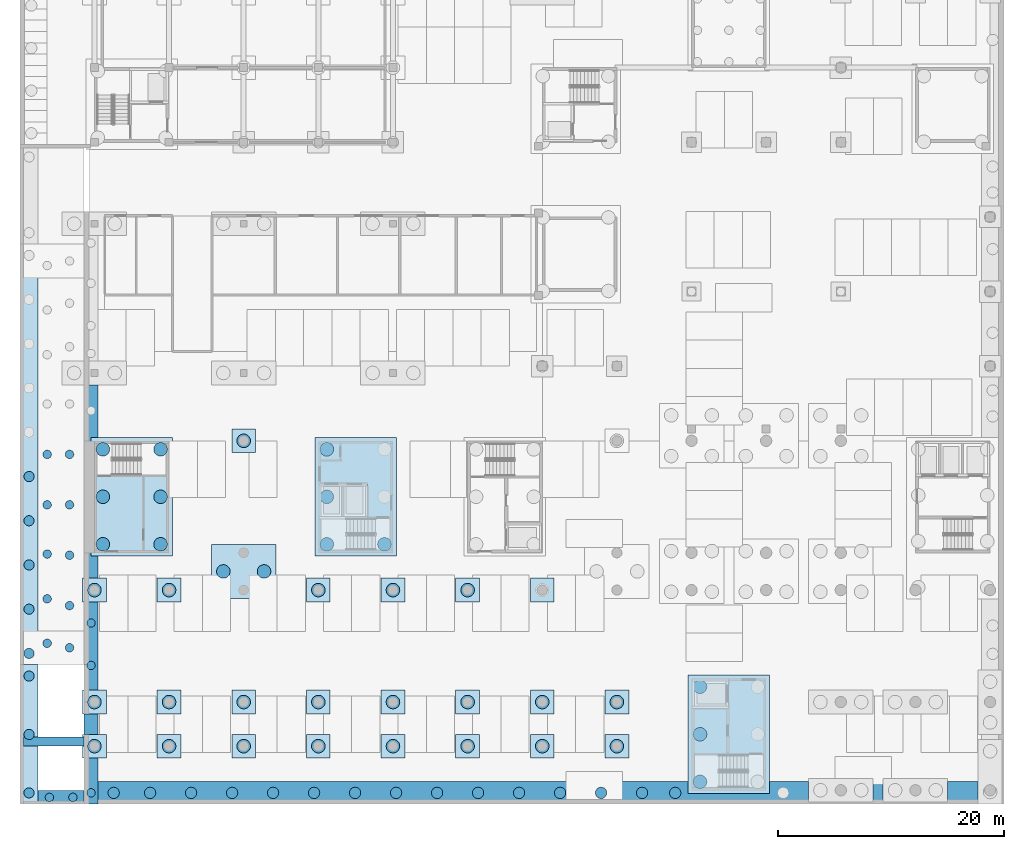
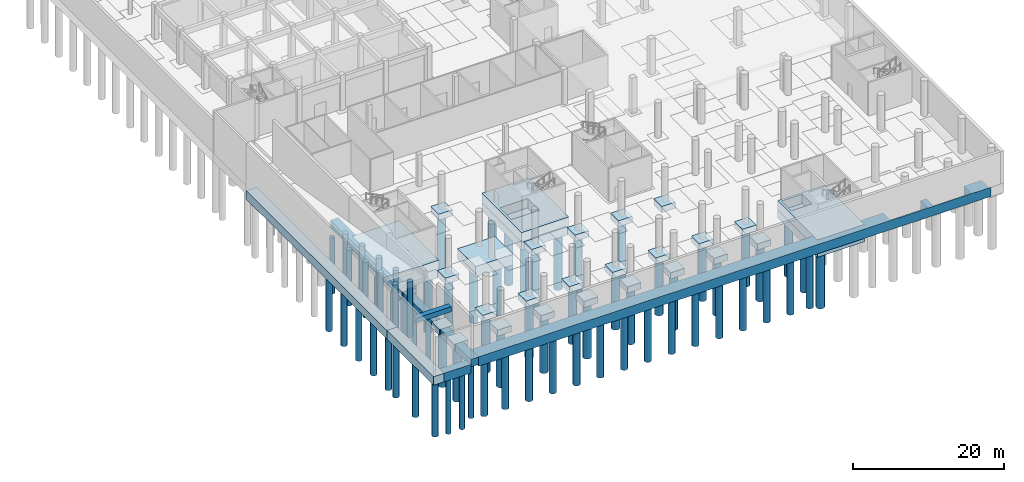
# One storey, part 1 of 38: 75 piles, 38 footings.
"""IFC4 building model written with IfcOpenShell, lengths in metres."""

from ifc_helpers import new_model, si_unit, direction, frame, origin, origin_2d, place, context, subcontext, project, spatial, polyline, circle, outline, extrude, material, material_profile, profile_set, type_object, element, save


model = new_model("IFC4")

# Units and contexts
model_context = context("Model", 3, precision=1e-05, world=origin(), true_north=direction((0.0, 1.0)))
body_context = subcontext(model_context, "Body", "Model", "MODEL_VIEW")
ifc_project = project(units=[si_unit("LENGTHUNIT", "METRE"), si_unit("AREAUNIT", "SQUARE_METRE"), si_unit("VOLUMEUNIT", "CUBIC_METRE"), si_unit("PLANEANGLEUNIT", "RADIAN"), si_unit("MASSUNIT", "GRAM", prefix="KILO")], contexts=[model_context])

# Site, building, storey
site_placement = place(None, origin())
site = spatial("IfcSite", under=ifc_project, at=site_placement, CompositionType="ELEMENT")
building_placement = place(site_placement, origin())
building = spatial("IfcBuilding", under=site, at=building_placement, Name="Lantern Court Research Institute", CompositionType="ELEMENT")
storey_placement = place(building_placement, frame((0.0, 0.0, -5.699951171875)))
storey = spatial("IfcBuildingStorey", under=building, at=storey_placement, Name="B1", CompositionType="ELEMENT", Elevation=-5.699951171875)

# Piles
ifc_material_1 = material(Name="Concrete C30/37", Category="concrete")
ifc_material_profile_1 = material_profile(ifc_material_1, circle(Radius=0.5, at=origin_2d()), Name="Bored pile D1000")
ifc_profile_set_1 = profile_set([ifc_material_profile_1], Name="Concrete C30/37")
pile_type_1 = type_object("IfcPileType", Name="Bored pile D1000", PredefinedType="BORED", material=ifc_profile_set_1)
for number, where, z_axis, x_axis, name in (
    (1, (1.699951171875, -8.030029296875, -1.400146484375), (0.0, 0.0, -1.0), (1.0, 0.0, 0.0), "Bored pile P270"),
    (2, (4.925048828125, -8.030029296875, -1.400146484375), (0.0, 0.0, -1.0), (1.0, 0.0, 0.0), "Bored pile P271"),
    (3, (8.550048828125, -8.030029296875, -1.400146484375), (0.0, 0.0, -1.0), (1.0, 0.0, 0.0), "Bored pile P272"),
    (4, (12.176025390625, -8.030029296875, -1.400146484375), (0.0, 0.0, -1.0), (1.0, 0.0, 0.0), "Bored pile P273"),
    (5, (15.801025390625, -8.030029296875, -1.400146484375), (0.0, 0.0, -1.0), (1.0, 0.0, 0.0), "Bored pile P274"),
    (6, (19.426025390625, -8.030029296875, -1.400146484375), (0.0, 0.0, -1.0), (1.0, 0.0, 0.0), "Bored pile P275"),
    (7, (23.051025390625, -8.030029296875, -1.400146484375), (0.0, 0.0, -1.0), (1.0, 0.0, 0.0), "Bored pile P276"),
    (8, (26.677001953125, -8.030029296875, -1.400146484375), (0.0, 0.0, -1.0), (1.0, 0.0, 0.0), "Bored pile P277"),
    (9, (30.302001953125, -8.030029296875, -1.400146484375), (0.0, 0.0, -1.0), (1.0, 0.0, 0.0), "Bored pile P278"),
    (10, (33.927001953125, -8.030029296875, -1.400146484375), (0.0, 0.0, -1.0), (1.0, 0.0, 0.0), "Bored pile P279"),
    (11, (37.552001953125, -8.030029296875, -1.400146484375), (0.0, 0.0, -1.0), (1.0, 0.0, 0.0), "Bored pile P280"),
    (12, (41.177978515625, -8.030029296875, -1.400146484375), (0.0, 0.0, -1.0), (1.0, 0.0, 0.0), "Bored pile P281"),
    (13, (44.802978515625, -8.030029296875, -1.400146484375), (0.0, 0.0, -1.0), (1.0, 0.0, 0.0), "Bored pile P282"),
    (14, (48.427978515625, -8.030029296875, -1.400146484375), (0.0, 0.0, -1.0), (1.0, 0.0, 0.0), "Bored pile P283"),
    (15, (51.35302734375, -8.030029296875, -1.400146484375), (0.0, 0.0, -1.0), (1.0, 0.0, 0.0), "Bored pile P284"),
):
    element("IfcPile", number, at=place(storey_placement, frame(where, z_axis=z_axis, x_axis=x_axis)), inside=storey, type_object=pile_type_1, Name=name, PredefinedType="BORED", context=body_context, shape_type="SweptSolid", body=[
        extrude(circle(Radius=0.5, at=origin_2d()), origin(), (0.0, 0.0, 1.0), 9.0),
    ])
ifc_material_2 = material(Name="Concrete C30/37", Category="concrete")
ifc_material_profile_2 = material_profile(ifc_material_2, circle(Radius=0.60009765625, at=origin_2d()), Name="Bored pile D1200")
ifc_profile_set_2 = profile_set([ifc_material_profile_2], Name="Concrete C30/37")
pile_type_2 = type_object("IfcPileType", Name="Bored pile D1200", PredefinedType="BORED", material=ifc_profile_set_2)
for number, where, z_axis, x_axis, name in (
    (16, (53.550048828125, -7.050048828125, -2.699951171875), (0.0, 0.0, -1.0), (1.0, 0.0, 0.0), "Bored pile P7"),
    (17, (53.550048828125, -2.85009765625, -2.699951171875), (0.0, 0.0, -1.0), (1.0, 0.0, 0.0), "Bored pile P9"),
    (18, (53.550048828125, 1.35009765625, -2.699951171875), (0.0, 0.0, -1.0), (1.0, 0.0, 0.0), "Bored pile P11"),
    (19, (0.0, -3.89990234375, -0.900146484375), (0.0, 0.0, -1.0), (1.0, 0.0, 0.0), "Bored pile P13"),
    (20, (6.60009765625, -3.89990234375, -0.900146484375), (0.0, 0.0, -1.0), (1.0, 0.0, 0.0), "Bored pile P14"),
    (21, (13.199951171875, -3.89990234375, -0.900146484375), (0.0, 0.0, -1.0), (1.0, 0.0, 0.0), "Bored pile P15"),
    (22, (19.800048828125, -3.89990234375, -0.900146484375), (0.0, 0.0, -1.0), (1.0, 0.0, 0.0), "Bored pile P16"),
    (23, (26.39990234375, -3.89990234375, -0.900146484375), (0.0, 0.0, -1.0), (1.0, 0.0, 0.0), "Bored pile P17"),
    (24, (33.0, -3.89990234375, -0.900146484375), (0.0, 0.0, -1.0), (1.0, 0.0, 0.0), "Bored pile P18"),
    (25, (39.60009765625, -3.89990234375, -0.900146484375), (0.0, 0.0, -1.0), (1.0, 0.0, 0.0), "Bored pile P19"),
    (26, (46.199951171875, -3.89990234375, -0.900146484375), (0.0, 0.0, -1.0), (1.0, 0.0, 0.0), "Bored pile P20"),
    (27, (0.0, 0.0, -0.900146484375), (0.0, 0.0, -1.0), (1.0, 0.0, 0.0), "Bored pile P23"),
    (28, (6.60009765625, 0.0, -0.900146484375), (0.0, 0.0, -1.0), (1.0, 0.0, 0.0), "Bored pile P24"),
    (29, (13.199951171875, 0.0, -0.900146484375), (0.0, 0.0, -1.0), (1.0, 0.0, 0.0), "Bored pile P25"),
    (30, (19.800048828125, 0.0, -0.900146484375), (0.0, 0.0, -1.0), (1.0, 0.0, 0.0), "Bored pile P26"),
    (31, (26.39990234375, 0.0, -0.900146484375), (0.0, 0.0, -1.0), (1.0, 0.0, 0.0), "Bored pile P27"),
    (32, (33.0, 0.0, -0.900146484375), (0.0, 0.0, -1.0), (1.0, 0.0, 0.0), "Bored pile P28"),
    (33, (39.60009765625, 0.0, -0.900146484375), (0.0, 0.0, -1.0), (1.0, 0.0, 0.0), "Bored pile P29"),
    (34, (46.199951171875, 0.0, -0.900146484375), (0.0, 0.0, -1.0), (1.0, 0.0, 0.0), "Bored pile P30"),
    (35, (0.0, 9.89990234375, -0.900146484375), (0.0, 0.0, -1.0), (1.0, 0.0, 0.0), "Bored pile P47"),
    (36, (6.60009765625, 9.89990234375, -0.900146484375), (0.0, 0.0, -1.0), (1.0, 0.0, 0.0), "Bored pile P48"),
    (37, (19.800048828125, 9.89990234375, -0.900146484375), (0.0, 0.0, -1.0), (1.0, 0.0, 0.0), "Bored pile P49"),
    (38, (26.39990234375, 9.89990234375, -0.900146484375), (0.0, 0.0, -1.0), (1.0, 0.0, 0.0), "Bored pile P50"),
    (39, (33.0, 9.89990234375, -0.900146484375), (0.0, 0.0, -1.0), (1.0, 0.0, 0.0), "Bored pile P51"),
    (40, (11.39990234375, 11.550048828125, -1.60009765625), (0.0, 0.0, -1.0), (1.0, 0.0, 0.0), "Bored pile P61"),
    (41, (15.0, 11.550048828125, -1.60009765625), (0.0, 0.0, -1.0), (1.0, 0.0, 0.0), "Bored pile P62"),
    (42, (0.75, 13.949951171875, -2.699951171875), (0.0, 0.0, -1.0), (1.0, 0.0, 0.0), "Bored pile P65"),
    (43, (5.85009765625, 13.949951171875, -2.699951171875), (0.0, 0.0, -1.0), (1.0, 0.0, 0.0), "Bored pile P66"),
    (44, (0.75, 18.14990234375, -2.699951171875), (0.0, 0.0, -1.0), (1.0, 0.0, 0.0), "Bored pile P67"),
    (45, (5.85009765625, 18.14990234375, -2.699951171875), (0.0, 0.0, -1.0), (1.0, 0.0, 0.0), "Bored pile P68"),
    (46, (0.75, 22.35009765625, -2.699951171875), (0.0, 0.0, -1.0), (1.0, 0.0, 0.0), "Bored pile P69"),
    (47, (5.85009765625, 22.35009765625, -2.699951171875), (0.0, 0.0, -1.0), (1.0, 0.0, 0.0), "Bored pile P70"),
    (48, (20.550048828125, 13.949951171875, -2.699951171875), (0.0, 0.0, -1.0), (1.0, 0.0, 0.0), "Bored pile P71"),
    (49, (25.64990234375, 13.949951171875, -2.699951171875), (0.0, 0.0, -1.0), (1.0, 0.0, 0.0), "Bored pile P72"),
    (50, (20.550048828125, 18.14990234375, -2.699951171875), (0.0, 0.0, -1.0), (1.0, 0.0, 0.0), "Bored pile P73"),
    (51, (20.550048828125, 22.35009765625, -2.699951171875), (0.0, 0.0, -1.0), (1.0, 0.0, 0.0), "Bored pile P75"),
    (52, (13.199951171875, 23.10009765625, -0.900146484375), (0.0, 0.0, -1.0), (1.0, 0.0, 0.0), "Bored pile P95"),
):
    element("IfcPile", number, at=place(storey_placement, frame(where, z_axis=z_axis, x_axis=x_axis)), inside=storey, type_object=pile_type_2, Name=name, PredefinedType="BORED", context=body_context, shape_type="SweptSolid", body=[
        extrude(circle(Radius=0.60009765625, at=origin_2d()), origin(), (0.0, 0.0, 1.0), 9.0),
    ])
ifc_material_3 = material(Name="Concrete C30/37", Category="concrete")
ifc_material_profile_3 = material_profile(ifc_material_3, circle(Radius=0.375, at=origin_2d()), Name="Bored pile D750")
ifc_profile_set_3 = profile_set([ifc_material_profile_3], Name="Concrete C30/37")
pile_type_3 = type_object("IfcPileType", Name="Bored pile D750", PredefinedType="BORED", material=ifc_profile_set_3)
for number, where, z_axis, x_axis, name in (
    (53, (-0.300048828125, -8.030029296875, -1.10009765625), (0.0, 0.0, -1.0), (1.0, 0.0, 0.0), "Bored pile P236"),
    (54, (-0.300048828125, 3.236083984375, -1.10009765625), (0.0, 0.0, -1.0), (1.0, 0.0, 0.0), "Bored pile P242"),
    (55, (-0.300048828125, 6.990966796875, -1.10009765625), (0.0, 0.0, -1.0), (1.0, 0.0, 0.0), "Bored pile P243"),
    (56, (-3.97998046875, -8.429931640625, -2.10009765625), (0.0, 0.0, -1.0), (1.0, 0.0, 0.0), "Bored pile P313"),
    (57, (-1.89990234375, -8.429931640625, -2.10009765625), (0.0, 0.0, -1.0), (1.0, 0.0, 0.0), "Bored pile P314"),
    (58, (-4.179931640625, 5.199951171875, 4.7919921875), (0.0, 0.0, -1.0), (1.0, 0.0, 0.0), "Bored pile P-RB111"),
    (59, (-2.199951171875, 4.800048828125, 4.824951171875), (0.0, 0.0, -1.0), (1.0, 0.0, 0.0), "Bored pile P-RB112"),
    (60, (-4.179931640625, 9.12890625, 4.328857421875), (0.0, 0.0, -1.0), (1.0, 0.0, 0.0), "Bored pile P-RB211"),
    (61, (-2.199951171875, 8.529052734375, 4.428955078125), (0.0, 0.0, -1.0), (1.0, 0.0, 0.0), "Bored pile P-RB212"),
    (62, (-4.179931640625, 13.0859375, 3.6689453125), (0.0, 0.0, -1.0), (1.0, 0.0, 0.0), "Bored pile P-RB221"),
    (63, (-2.199951171875, 12.986083984375, 3.68603515625), (0.0, 0.0, -1.0), (1.0, 0.0, 0.0), "Bored pile P-RB222"),
    (64, (-4.179931640625, 17.443115234375, 2.94287109375), (0.0, 0.0, -1.0), (1.0, 0.0, 0.0), "Bored pile P-RB231"),
    (65, (-2.199951171875, 17.443115234375, 2.94287109375), (0.0, 0.0, -1.0), (1.0, 0.0, 0.0), "Bored pile P-RB232"),
    (66, (-4.179931640625, 21.89990234375, 2.199951171875), (0.0, 0.0, -1.0), (1.0, 0.0, 0.0), "Bored pile P-RB241"),
    (67, (-2.199951171875, 21.89990234375, 2.199951171875), (0.0, 0.0, -1.0), (1.0, 0.0, 0.0), "Bored pile P-RB242"),
):
    element("IfcPile", number, at=place(storey_placement, frame(where, z_axis=z_axis, x_axis=x_axis)), inside=storey, type_object=pile_type_3, Name=name, PredefinedType="BORED", context=body_context, shape_type="SweptSolid", body=[
        extrude(circle(Radius=0.375, at=origin_2d()), origin(), (0.0, 0.0, 1.0), 9.0),
    ])
ifc_material_4 = material(Name="Concrete C30/37", Category="concrete")
ifc_material_profile_4 = material_profile(ifc_material_4, circle(Radius=0.449951171875, at=origin_2d()), Name="Bored pile D900")
ifc_profile_set_4 = profile_set([ifc_material_profile_4], Name="Concrete C30/37")
pile_type_4 = type_object("IfcPileType", Name="Bored pile D900", PredefinedType="BORED", material=ifc_profile_set_4)
for number, where, z_axis, x_axis, name in (
    (68, (-5.780029296875, 4.300048828125, -2.10009765625), (0.0, 0.0, -1.0), (1.0, 0.0, 0.0), "Bored pile P298"),
    (69, (-5.780029296875, 8.2109375, -2.10009765625), (0.0, 0.0, -1.0), (1.0, 0.0, 0.0), "Bored pile P299"),
    (70, (-5.780029296875, 12.1220703125, -2.10009765625), (0.0, 0.0, -1.0), (1.0, 0.0, 0.0), "Bored pile P300"),
    (71, (-5.780029296875, 16.032958984375, -2.10009765625), (0.0, 0.0, -1.0), (1.0, 0.0, 0.0), "Bored pile P301"),
    (72, (-5.780029296875, 19.944091796875, -2.10009765625), (0.0, 0.0, -1.0), (1.0, 0.0, 0.0), "Bored pile P302"),
    (73, (-5.780029296875, -8.030029296875, -2.10009765625), (0.0, 0.0, -1.0), (1.0, 0.0, 0.0), "Bored pile P310"),
    (74, (-5.780029296875, -2.864990234375, -2.10009765625), (0.0, 0.0, -1.0), (1.0, 0.0, 0.0), "Bored pile P311"),
    (75, (-5.780029296875, 2.300048828125, -2.10009765625), (0.0, 0.0, -1.0), (1.0, 0.0, 0.0), "Bored pile P312"),
):
    element("IfcPile", number, at=place(storey_placement, frame(where, z_axis=z_axis, x_axis=x_axis)), inside=storey, type_object=pile_type_4, Name=name, PredefinedType="BORED", context=body_context, shape_type="SweptSolid", body=[
        extrude(circle(Radius=0.449951171875, at=origin_2d()), origin(), (0.0, 0.0, 1.0), 9.0),
    ])

# Footings
ifc_material_5 = material(Name="Concrete C30/37", Category="concrete")
footing_type_1 = type_object("IfcFootingType", Name="Pile cap 2100 x 2100 x 1000", PredefinedType="PILE_CAP", material=ifc_material_5)
footing_1_placement = place(storey_placement, frame((0.0, 0.0, -1.0)))
element("IfcFooting", 76, at=footing_1_placement, inside=storey, type_object=footing_type_1, Name="Pile cap PC5", PredefinedType="PILE_CAP", context=body_context, shape_type="SweptSolid", body=[
    extrude(outline(polyline([(-1.050048828125, -4.949951171875), (1.050048828125, -4.949951171875), (1.050048828125, -2.85009765625), (-1.050048828125, -2.85009765625), (-1.050048828125, -4.949951171875)])), origin(), (0.0, 0.0, 1.0), 1.0),
])
footing_2_placement = place(storey_placement, frame((0.0, 0.0, -1.0)))
element("IfcFooting", 77, at=footing_2_placement, inside=storey, type_object=footing_type_1, Name="Pile cap PC6", PredefinedType="PILE_CAP", context=body_context, shape_type="SweptSolid", body=[
    extrude(outline(polyline([(5.550048828125, -4.949951171875), (7.64990234375, -4.949951171875), (7.64990234375, -2.85009765625), (5.550048828125, -2.85009765625), (5.550048828125, -4.949951171875)])), origin(), (0.0, 0.0, 1.0), 1.0),
])
footing_3_placement = place(storey_placement, frame((0.0, 0.0, -1.0)))
element("IfcFooting", 78, at=footing_3_placement, inside=storey, type_object=footing_type_1, Name="Pile cap PC7", PredefinedType="PILE_CAP", context=body_context, shape_type="SweptSolid", body=[
    extrude(outline(polyline([(12.14990234375, -4.949951171875), (14.25, -4.949951171875), (14.25, -2.85009765625), (12.14990234375, -2.85009765625), (12.14990234375, -4.949951171875)])), origin(), (0.0, 0.0, 1.0), 1.0),
])
footing_4_placement = place(storey_placement, frame((0.0, 0.0, -1.0)))
element("IfcFooting", 79, at=footing_4_placement, inside=storey, type_object=footing_type_1, Name="Pile cap PC8", PredefinedType="PILE_CAP", context=body_context, shape_type="SweptSolid", body=[
    extrude(outline(polyline([(18.75, -4.949951171875), (20.85009765625, -4.949951171875), (20.85009765625, -2.85009765625), (18.75, -2.85009765625), (18.75, -4.949951171875)])), origin(), (0.0, 0.0, 1.0), 1.0),
])
footing_5_placement = place(storey_placement, frame((0.0, 0.0, -1.0)))
element("IfcFooting", 80, at=footing_5_placement, inside=storey, type_object=footing_type_1, Name="Pile cap PC9", PredefinedType="PILE_CAP", context=body_context, shape_type="SweptSolid", body=[
    extrude(outline(polyline([(25.35009765625, -4.949951171875), (27.449951171875, -4.949951171875), (27.449951171875, -2.85009765625), (25.35009765625, -2.85009765625), (25.35009765625, -4.949951171875)])), origin(), (0.0, 0.0, 1.0), 1.0),
])
footing_6_placement = place(storey_placement, frame((0.0, 0.0, -1.0)))
element("IfcFooting", 81, at=footing_6_placement, inside=storey, type_object=footing_type_1, Name="Pile cap PC10", PredefinedType="PILE_CAP", context=body_context, shape_type="SweptSolid", body=[
    extrude(outline(polyline([(31.949951171875, -4.949951171875), (34.050048828125, -4.949951171875), (34.050048828125, -2.85009765625), (31.949951171875, -2.85009765625), (31.949951171875, -4.949951171875)])), origin(), (0.0, 0.0, 1.0), 1.0),
])
footing_7_placement = place(storey_placement, frame((0.0, 0.0, -1.0)))
element("IfcFooting", 82, at=footing_7_placement, inside=storey, type_object=footing_type_1, Name="Pile cap PC11", PredefinedType="PILE_CAP", context=body_context, shape_type="SweptSolid", body=[
    extrude(outline(polyline([(38.550048828125, -4.949951171875), (40.64990234375, -4.949951171875), (40.64990234375, -2.85009765625), (38.550048828125, -2.85009765625), (38.550048828125, -4.949951171875)])), origin(), (0.0, 0.0, 1.0), 1.0),
])
footing_8_placement = place(storey_placement, frame((0.0, 0.0, -1.0)))
element("IfcFooting", 83, at=footing_8_placement, inside=storey, type_object=footing_type_1, Name="Pile cap PC12", PredefinedType="PILE_CAP", context=body_context, shape_type="SweptSolid", body=[
    extrude(outline(polyline([(45.14990234375, -4.949951171875), (47.25, -4.949951171875), (47.25, -2.85009765625), (45.14990234375, -2.85009765625), (45.14990234375, -4.949951171875)])), origin(), (0.0, 0.0, 1.0), 1.0),
])
footing_9_placement = place(storey_placement, frame((0.0, 0.0, -1.0)))
element("IfcFooting", 84, at=footing_9_placement, inside=storey, type_object=footing_type_1, Name="Pile cap PC14", PredefinedType="PILE_CAP", context=body_context, shape_type="SweptSolid", body=[
    extrude(outline(polyline([(-1.050048828125, -1.050048828125), (1.050048828125, -1.050048828125), (1.050048828125, 1.050048828125), (-1.050048828125, 1.050048828125), (-1.050048828125, -1.050048828125)])), origin(), (0.0, 0.0, 1.0), 1.0),
])
footing_10_placement = place(storey_placement, frame((0.0, 0.0, -1.0)))
element("IfcFooting", 85, at=footing_10_placement, inside=storey, type_object=footing_type_1, Name="Pile cap PC15", PredefinedType="PILE_CAP", context=body_context, shape_type="SweptSolid", body=[
    extrude(outline(polyline([(5.550048828125, -1.050048828125), (7.64990234375, -1.050048828125), (7.64990234375, 1.050048828125), (5.550048828125, 1.050048828125), (5.550048828125, -1.050048828125)])), origin(), (0.0, 0.0, 1.0), 1.0),
])
footing_11_placement = place(storey_placement, frame((0.0, 0.0, -1.0)))
element("IfcFooting", 86, at=footing_11_placement, inside=storey, type_object=footing_type_1, Name="Pile cap PC16", PredefinedType="PILE_CAP", context=body_context, shape_type="SweptSolid", body=[
    extrude(outline(polyline([(12.14990234375, -1.050048828125), (14.25, -1.050048828125), (14.25, 1.050048828125), (12.14990234375, 1.050048828125), (12.14990234375, -1.050048828125)])), origin(), (0.0, 0.0, 1.0), 1.0),
])
footing_12_placement = place(storey_placement, frame((0.0, 0.0, -1.0)))
element("IfcFooting", 87, at=footing_12_placement, inside=storey, type_object=footing_type_1, Name="Pile cap PC17", PredefinedType="PILE_CAP", context=body_context, shape_type="SweptSolid", body=[
    extrude(outline(polyline([(18.75, -1.050048828125), (20.85009765625, -1.050048828125), (20.85009765625, 1.050048828125), (18.75, 1.050048828125), (18.75, -1.050048828125)])), origin(), (0.0, 0.0, 1.0), 1.0),
])
footing_13_placement = place(storey_placement, frame((0.0, 0.0, -1.0)))
element("IfcFooting", 88, at=footing_13_placement, inside=storey, type_object=footing_type_1, Name="Pile cap PC18", PredefinedType="PILE_CAP", context=body_context, shape_type="SweptSolid", body=[
    extrude(outline(polyline([(25.35009765625, -1.050048828125), (27.449951171875, -1.050048828125), (27.449951171875, 1.050048828125), (25.35009765625, 1.050048828125), (25.35009765625, -1.050048828125)])), origin(), (0.0, 0.0, 1.0), 1.0),
])
footing_14_placement = place(storey_placement, frame((0.0, 0.0, -1.0)))
element("IfcFooting", 89, at=footing_14_placement, inside=storey, type_object=footing_type_1, Name="Pile cap PC19", PredefinedType="PILE_CAP", context=body_context, shape_type="SweptSolid", body=[
    extrude(outline(polyline([(31.949951171875, -1.050048828125), (34.050048828125, -1.050048828125), (34.050048828125, 1.050048828125), (31.949951171875, 1.050048828125), (31.949951171875, -1.050048828125)])), origin(), (0.0, 0.0, 1.0), 1.0),
])
footing_15_placement = place(storey_placement, frame((0.0, 0.0, -1.0)))
element("IfcFooting", 90, at=footing_15_placement, inside=storey, type_object=footing_type_1, Name="Pile cap PC20", PredefinedType="PILE_CAP", context=body_context, shape_type="SweptSolid", body=[
    extrude(outline(polyline([(38.550048828125, -1.050048828125), (40.64990234375, -1.050048828125), (40.64990234375, 1.050048828125), (38.550048828125, 1.050048828125), (38.550048828125, -1.050048828125)])), origin(), (0.0, 0.0, 1.0), 1.0),
])
footing_16_placement = place(storey_placement, frame((0.0, 0.0, -1.0)))
element("IfcFooting", 91, at=footing_16_placement, inside=storey, type_object=footing_type_1, Name="Pile cap PC21", PredefinedType="PILE_CAP", context=body_context, shape_type="SweptSolid", body=[
    extrude(outline(polyline([(45.14990234375, -1.050048828125), (47.25, -1.050048828125), (47.25, 1.050048828125), (45.14990234375, 1.050048828125), (45.14990234375, -1.050048828125)])), origin(), (0.0, 0.0, 1.0), 1.0),
])
footing_17_placement = place(storey_placement, frame((0.0, 0.0, -1.0)))
element("IfcFooting", 92, at=footing_17_placement, inside=storey, type_object=footing_type_1, Name="Pile cap PC27", PredefinedType="PILE_CAP", context=body_context, shape_type="SweptSolid", body=[
    extrude(outline(polyline([(-1.050048828125, 8.85009765625), (1.050048828125, 8.85009765625), (1.050048828125, 10.949951171875), (-1.050048828125, 10.949951171875), (-1.050048828125, 8.85009765625)])), origin(), (0.0, 0.0, 1.0), 1.0),
])
footing_18_placement = place(storey_placement, frame((0.0, 0.0, -1.0)))
element("IfcFooting", 93, at=footing_18_placement, inside=storey, type_object=footing_type_1, Name="Pile cap PC28", PredefinedType="PILE_CAP", context=body_context, shape_type="SweptSolid", body=[
    extrude(outline(polyline([(5.550048828125, 8.85009765625), (7.64990234375, 8.85009765625), (7.64990234375, 10.949951171875), (5.550048828125, 10.949951171875), (5.550048828125, 8.85009765625)])), origin(), (0.0, 0.0, 1.0), 1.0),
])
footing_19_placement = place(storey_placement, frame((0.0, 0.0, -1.0)))
element("IfcFooting", 94, at=footing_19_placement, inside=storey, type_object=footing_type_1, Name="Pile cap PC29", PredefinedType="PILE_CAP", context=body_context, shape_type="SweptSolid", body=[
    extrude(outline(polyline([(18.75, 8.85009765625), (20.85009765625, 8.85009765625), (20.85009765625, 10.949951171875), (18.75, 10.949951171875), (18.75, 8.85009765625)])), origin(), (0.0, 0.0, 1.0), 1.0),
])
footing_20_placement = place(storey_placement, frame((0.0, 0.0, -1.0)))
element("IfcFooting", 95, at=footing_20_placement, inside=storey, type_object=footing_type_1, Name="Pile cap PC30", PredefinedType="PILE_CAP", context=body_context, shape_type="SweptSolid", body=[
    extrude(outline(polyline([(25.35009765625, 8.85009765625), (27.449951171875, 8.85009765625), (27.449951171875, 10.949951171875), (25.35009765625, 10.949951171875), (25.35009765625, 8.85009765625)])), origin(), (0.0, 0.0, 1.0), 1.0),
])
footing_21_placement = place(storey_placement, frame((0.0, 0.0, -1.0)))
element("IfcFooting", 96, at=footing_21_placement, inside=storey, type_object=footing_type_1, Name="Pile cap PC31", PredefinedType="PILE_CAP", context=body_context, shape_type="SweptSolid", body=[
    extrude(outline(polyline([(31.949951171875, 8.85009765625), (34.050048828125, 8.85009765625), (34.050048828125, 10.949951171875), (31.949951171875, 10.949951171875), (31.949951171875, 8.85009765625)])), origin(), (0.0, 0.0, 1.0), 1.0),
])
footing_22_placement = place(storey_placement, frame((0.0, 0.0, -1.0)))
element("IfcFooting", 97, at=footing_22_placement, inside=storey, type_object=footing_type_1, Name="Pile cap PC32", PredefinedType="PILE_CAP", context=body_context, shape_type="SweptSolid", body=[
    extrude(outline(polyline([(38.550048828125, 8.85009765625), (40.64990234375, 8.85009765625), (40.64990234375, 10.949951171875), (38.550048828125, 10.949951171875), (38.550048828125, 8.85009765625)])), origin(), (0.0, 0.0, 1.0), 1.0),
])
footing_23_placement = place(storey_placement, frame((0.0, 0.0, -1.0)))
element("IfcFooting", 98, at=footing_23_placement, inside=storey, type_object=footing_type_1, Name="Pile cap PC42", PredefinedType="PILE_CAP", context=body_context, shape_type="SweptSolid", body=[
    extrude(outline(polyline([(12.14990234375, 22.050048828125), (14.25, 22.050048828125), (14.25, 24.14990234375), (12.14990234375, 24.14990234375), (12.14990234375, 22.050048828125)])), origin(), (0.0, 0.0, 1.0), 1.0),
])
ifc_material_6 = material(Name="Concrete C30/37", Category="concrete")
footing_type_2 = type_object("IfcFootingType", Name="Pile cap 5700 x 4800 x 1700", PredefinedType="PILE_CAP", material=ifc_material_6)
footing_24_placement = place(storey_placement, frame((0.0, 0.0, -1.699951171875)))
element("IfcFooting", 99, at=footing_24_placement, inside=storey, type_object=footing_type_2, Name="Pile cap PC34", PredefinedType="PILE_CAP", context=body_context, shape_type="SweptSolid", body=[
    extrude(outline(polyline([(10.35009765625, 9.14990234375), (16.050048828125, 9.14990234375), (16.050048828125, 13.949951171875), (10.35009765625, 13.949951171875), (10.35009765625, 9.14990234375)])), origin(), (0.0, 0.0, 1.0), 1.699951171875),
])
ifc_material_7 = material(Name="Concrete C30/37", Category="concrete")
footing_type_3 = type_object("IfcFootingType", Name="Pile cap 7200 x 10500 x 2800", PredefinedType="PILE_CAP", material=ifc_material_7)
footing_25_placement = place(storey_placement, frame((0.0, 0.0, -2.800048828125)))
element("IfcFooting", 100, at=footing_25_placement, inside=storey, type_object=footing_type_3, Name="Pile cap PC36", PredefinedType="PILE_CAP", context=body_context, shape_type="SweptSolid", body=[
    extrude(outline(polyline([(-0.300048828125, 12.89990234375), (6.89990234375, 12.89990234375), (6.89990234375, 23.39990234375), (-0.300048828125, 23.39990234375), (-0.300048828125, 12.89990234375)])), origin(), (0.0, 0.0, 1.0), 2.800048828125),
])
ifc_material_8 = material(Name="Concrete C30/37", Category="concrete")
footing_type_4 = type_object("IfcFootingType", Name="Pile cap lower plate 7200 x 10500 x 1300", PredefinedType="PILE_CAP", material=ifc_material_8)
footing_26_placement = place(storey_placement, frame((0.0, 0.0, -2.800048828125)))
element("IfcFooting", 101, at=footing_26_placement, inside=storey, type_object=footing_type_4, Name="Pile cap PC4 lower plate", PredefinedType="PILE_CAP", context=body_context, shape_type="SweptSolid", body=[
    extrude(outline(polyline([(52.5, -8.10009765625), (59.699951171875, -8.10009765625), (59.699951171875, 2.39990234375), (52.5, 2.39990234375), (52.5, -8.10009765625)])), origin(), (0.0, 0.0, 1.0), 1.300048828125),
])
footing_27_placement = place(storey_placement, frame((0.0, 0.0, -2.800048828125)))
element("IfcFooting", 102, at=footing_27_placement, inside=storey, type_object=footing_type_4, Name="Pile cap PC37 lower plate", PredefinedType="PILE_CAP", context=body_context, shape_type="SweptSolid", body=[
    extrude(outline(polyline([(19.5, 12.89990234375), (26.699951171875, 12.89990234375), (26.699951171875, 23.39990234375), (19.5, 23.39990234375), (19.5, 12.89990234375)])), origin(), (0.0, 0.0, 1.0), 1.300048828125),
])
ifc_material_9 = material(Name="Concrete C30/37", Category="concrete")
footing_type_5 = type_object("IfcFootingType", Name="Pile cap upper ring 7200 x 10500 x 1500", PredefinedType="PILE_CAP", material=ifc_material_9)
footing_28_placement = place(storey_placement, frame((0.0, 0.0, -1.5)))
element("IfcFooting", 103, at=footing_28_placement, inside=storey, type_object=footing_type_5, Name="Pile cap PC4 upper ring", PredefinedType="PILE_CAP", context=body_context, shape_type="SweptSolid", body=[
    extrude(outline(polyline([(52.5, -8.10009765625), (59.699951171875, -8.10009765625), (59.699951171875, 2.39990234375), (52.5, 2.39990234375), (52.5, -8.10009765625)]), holes=[polyline([(52.85009765625, -0.550048828125), (56.050048828125, -0.550048828125), (56.050048828125, 2.050048828125), (52.85009765625, 2.050048828125), (52.85009765625, -0.550048828125)])]), origin(), (0.0, 0.0, 1.0), 1.5),
])
footing_29_placement = place(storey_placement, frame((0.0, 0.0, -1.5)))
element("IfcFooting", 104, at=footing_29_placement, inside=storey, type_object=footing_type_5, Name="Pile cap PC37 upper ring", PredefinedType="PILE_CAP", context=body_context, shape_type="SweptSolid", body=[
    extrude(outline(polyline([(19.5, 12.89990234375), (26.699951171875, 12.89990234375), (26.699951171875, 23.39990234375), (19.5, 23.39990234375), (19.5, 12.89990234375)]), holes=[polyline([(19.85009765625, 16.199951171875), (24.14990234375, 16.199951171875), (24.14990234375, 19.300048828125), (19.85009765625, 19.300048828125), (19.85009765625, 16.199951171875)])]), origin(), (0.0, 0.0, 1.0), 1.5),
])
ifc_material_10 = material(Name="Concrete C30/37", Category="concrete")
footing_type_6 = type_object("IfcFootingType", Name="Strip footing 1200 x 1200", PredefinedType="STRIP_FOOTING", material=ifc_material_10)
footing_30_placement = place(storey_placement, frame((0.0, 0.0, -1.199951171875)))
element("IfcFooting", 105, at=footing_30_placement, inside=storey, type_object=footing_type_6, Name="Strip footing F1", PredefinedType="STRIP_FOOTING", context=body_context, shape_type="SweptSolid", body=[
    extrude(outline(polyline([(0.300048828125, -9.030029296875), (-0.89990234375, -9.030029296875), (-0.89990234375, -4.949951171875), (0.300048828125, -4.949951171875), (0.300048828125, -9.030029296875)])), origin(), (0.0, 0.0, 1.0), 1.199951171875),
])
footing_31_placement = place(storey_placement, frame((0.0, 0.0, -1.199951171875)))
element("IfcFooting", 106, at=footing_31_placement, inside=storey, type_object=footing_type_6, Name="Strip footing F2", PredefinedType="STRIP_FOOTING", context=body_context, shape_type="SweptSolid", body=[
    extrude(outline(polyline([(-0.89990234375, 10.949951171875), (-0.89990234375, 28.050048828125), (0.300048828125, 28.050048828125), (0.300048828125, 23.39990234375), (-0.300048828125, 23.39990234375), (-0.300048828125, 12.89990234375), (0.300048828125, 12.89990234375), (0.300048828125, 10.949951171875), (-0.89990234375, 10.949951171875)])), origin(), (0.0, 0.0, 1.0), 1.199951171875),
])
footing_32_placement = place(storey_placement, frame((0.0, 0.0, -1.199951171875)))
element("IfcFooting", 107, at=footing_32_placement, inside=storey, type_object=footing_type_6, Name="Strip footing F4", PredefinedType="STRIP_FOOTING", context=body_context, shape_type="SweptSolid", body=[
    extrude(outline(polyline([(-0.89990234375, 1.050048828125), (-0.89990234375, 8.85009765625), (0.300048828125, 8.85009765625), (0.300048828125, 1.050048828125), (-0.89990234375, 1.050048828125)])), origin(), (0.0, 0.0, 1.0), 1.199951171875),
])
footing_33_placement = place(storey_placement, frame((0.0, 0.0, -1.199951171875)))
element("IfcFooting", 108, at=footing_33_placement, inside=storey, type_object=footing_type_6, Name="Strip footing F5", PredefinedType="STRIP_FOOTING", context=body_context, shape_type="SweptSolid", body=[
    extrude(outline(polyline([(-0.89990234375, -1.050048828125), (0.300048828125, -1.050048828125), (0.300048828125, -2.85009765625), (-0.89990234375, -2.85009765625), (-0.89990234375, -1.050048828125)])), origin(), (0.0, 0.0, 1.0), 1.199951171875),
])
ifc_material_11 = material(Name="Concrete C30/37", Category="concrete")
footing_type_7 = type_object("IfcFootingType", Name="Strip footing 1200 x 1400", PredefinedType="STRIP_FOOTING", material=ifc_material_11)
footing_34_placement = place(storey_placement, frame((0.0, 0.0, -2.199951171875)))
element("IfcFooting", 109, at=footing_34_placement, inside=storey, type_object=footing_type_7, Name="Strip footing F14", PredefinedType="STRIP_FOOTING", context=body_context, shape_type="SweptSolid", body=[
    extrude(outline(polyline([(-0.89990234375, -9.030029296875), (-4.97998046875, -9.030029296875), (-4.97998046875, -7.830078125), (-0.89990234375, -7.830078125), (-0.89990234375, -9.030029296875)])), origin(), (0.0, 0.0, 1.0), 1.39990234375),
])
ifc_material_12 = material(Name="Concrete C30/37", Category="concrete")
footing_type_8 = type_object("IfcFootingType", Name="Strip footing 1600 x 1400", PredefinedType="STRIP_FOOTING", material=ifc_material_12)
footing_35_placement = place(storey_placement, frame((0.0, 0.0, -2.199951171875)))
element("IfcFooting", 110, at=footing_35_placement, inside=storey, type_object=footing_type_8, Name="Strip footing F10", PredefinedType="STRIP_FOOTING", context=body_context, shape_type="SweptSolid", body=[
    extrude(outline(polyline([(-4.97998046875, 3.300048828125), (-6.580078125, 3.300048828125), (-6.580078125, 40.5), (-4.97998046875, 40.5), (-4.97998046875, 3.300048828125)])), origin(), (0.0, 0.0, 1.0), 1.39990234375),
])
footing_36_placement = place(storey_placement, frame((0.0, 0.0, -2.199951171875)))
element("IfcFooting", 111, at=footing_36_placement, inside=storey, type_object=footing_type_8, Name="Strip footing F13", PredefinedType="STRIP_FOOTING", context=body_context, shape_type="SweptSolid", body=[
    extrude(outline(polyline([(-4.97998046875, -9.030029296875), (-6.580078125, -9.030029296875), (-6.580078125, 3.300048828125), (-4.97998046875, 3.300048828125), (-4.97998046875, -9.030029296875)])), origin(), (0.0, 0.0, 1.0), 1.39990234375),
])
ifc_material_13 = material(Name="Concrete C30/37", Category="concrete")
footing_type_9 = type_object("IfcFootingType", Name="Strip footing 2000 x 1500", PredefinedType="STRIP_FOOTING", material=ifc_material_13)
footing_37_placement = place(storey_placement, frame((0.0, 0.0, -1.5)))
element("IfcFooting", 112, at=footing_37_placement, inside=storey, type_object=footing_type_9, Name="Strip footing F8", PredefinedType="STRIP_FOOTING", context=body_context, shape_type="SweptSolid", body=[
    extrude(outline(polyline([(75.449951171875, -8.85009765625), (75.449951171875, -7.030029296875), (78.14990234375, -7.030029296875), (78.14990234375, -9.0), (78.429931640625, -9.0), (78.429931640625, -9.030029296875), (0.300048828125, -9.030029296875), (0.300048828125, -7.030029296875), (52.5, -7.030029296875), (52.5, -8.10009765625), (59.699951171875, -8.10009765625), (59.699951171875, -7.030029296875), (63.14990234375, -7.030029296875), (63.14990234375, -8.85009765625), (68.85009765625, -8.85009765625), (68.85009765625, -7.030029296875), (69.75, -7.030029296875), (69.75, -8.85009765625), (75.449951171875, -8.85009765625)])), origin(), (0.0, 0.0, 1.0), 1.5),
])
ifc_material_14 = material(Name="Concrete C30/37", Category="concrete")
footing_type_10 = type_object("IfcFootingType", Name="Strip footing 800 x 800", PredefinedType="STRIP_FOOTING", material=ifc_material_14)
footing_38_placement = place(storey_placement, frame((0.0, 0.0, 4.599853515625)))
element("IfcFooting", 113, at=footing_38_placement, inside=storey, type_object=footing_type_10, Name="Strip footing F12", PredefinedType="STRIP_FOOTING", context=body_context, shape_type="SweptSolid", body=[
    extrude(outline(polyline([(-6.280029296875, -3.89990234375), (-6.280029296875, -3.10009765625), (-0.89990234375, -3.10009765625), (-0.89990234375, -3.89990234375), (-6.280029296875, -3.89990234375)])), origin(), (0.0, 0.0, 1.0), 0.800048828125),
])

save(model, "model.ifc")
